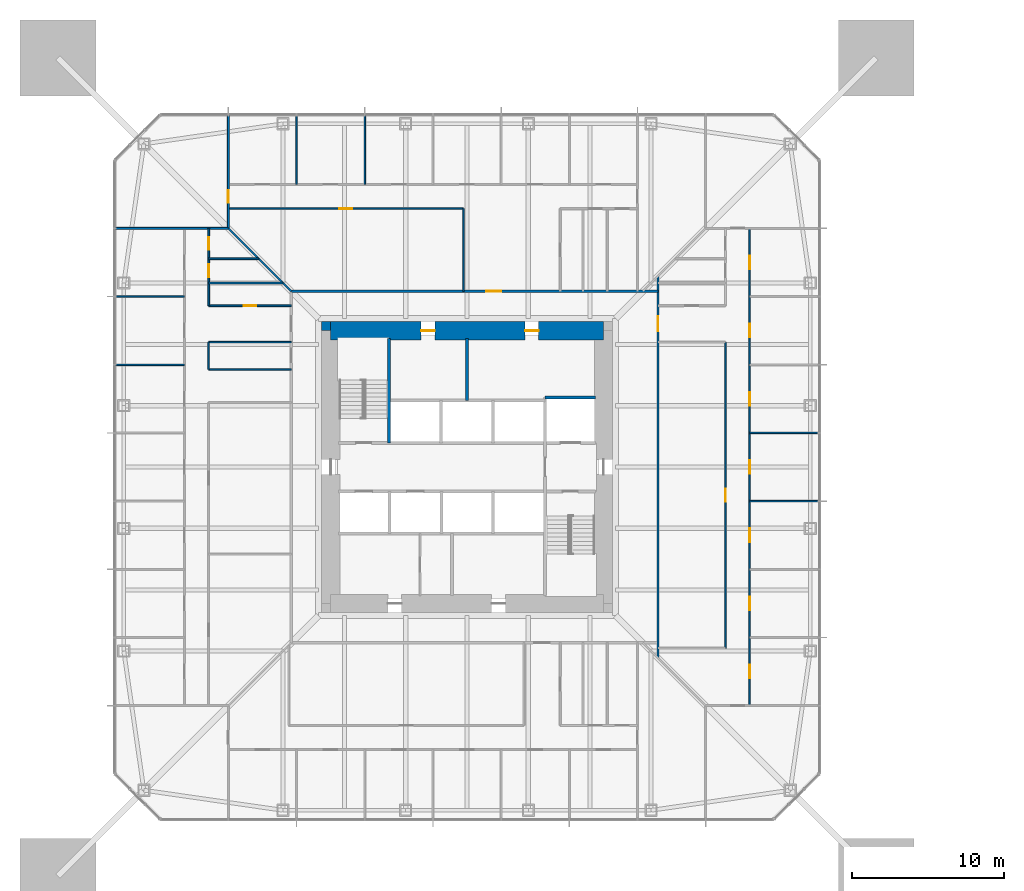
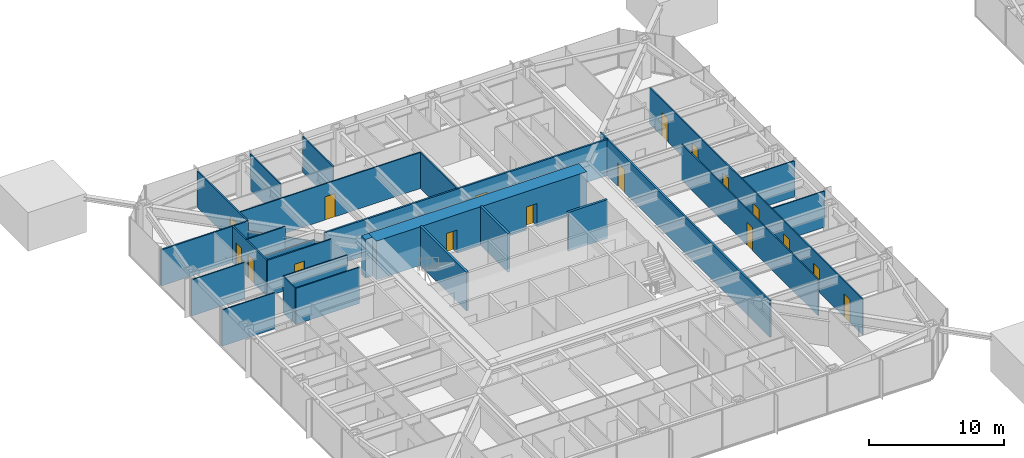
# One storey, part 16 of 26: 27 walls, 17 doors, 17 openings.
"""IFC4 building model written with IfcOpenShell, lengths in metres."""

from ifc_helpers import new_model, si_unit, direction, frame, frame_2d, origin, place, context, subcontext, project, spatial, rectangle, extrude, material, layer, layer_set, type_object, element, fill, save


model = new_model("IFC4")

# Units and contexts
model_context = context("Model", 3, precision=1e-05, world=origin(), true_north=direction((0.0, 1.0)))
body_context = subcontext(model_context, "Body", "Model", "MODEL_VIEW")
ifc_project = project(units=[si_unit("LENGTHUNIT", "METRE"), si_unit("AREAUNIT", "SQUARE_METRE"), si_unit("VOLUMEUNIT", "CUBIC_METRE"), si_unit("PLANEANGLEUNIT", "RADIAN"), si_unit("MASSUNIT", "GRAM", prefix="KILO")], contexts=[model_context])

# Site, building, storey
site_placement = place(None, origin())
site = spatial("IfcSite", under=ifc_project, at=site_placement, CompositionType="ELEMENT")
building_placement = place(site_placement, origin())
building = spatial("IfcBuilding", under=site, at=building_placement, Name="Iwan Alto Co-Living Towers", CompositionType="ELEMENT")
storey_placement = place(building_placement, frame((0.0, 0.0, 29.0)))
storey = spatial("IfcBuildingStorey", under=building, at=storey_placement, Name="L07", CompositionType="ELEMENT", Elevation=29.0)

# Wall, opening, door
ifc_material_1 = material(Name="Gypsum board")
ifc_layer_1 = layer(ifc_material_1, 0.02490234375, Name="Board", Category="Finish")
ifc_material_2 = material(Name="Steel ASTM A1003 ST33H cold-formed studs", Category="steel")
ifc_layer_2 = layer(ifc_material_2, 0.10009765625, Name="Studs", Category="Framing")
ifc_layer_3 = layer(ifc_material_1, 0.02490234375, Name="Board", Category="Finish")
ifc_layer_set_1 = layer_set([ifc_layer_1, ifc_layer_2, ifc_layer_3], Name="CORRIDOR WALL 150")
wall_type_1 = type_object("IfcWallType", Name="CORRIDOR WALL 150", PredefinedType="PARTITIONING", material=ifc_layer_set_1)
wall_1_placement = place(storey_placement, frame((-11.60009765625, 11.60009765625, 0.0), z_axis=(0.0, 0.0, 1.0), x_axis=(1.0, 0.0, 0.0)))
wall_1 = element("IfcWall", 1, at=wall_1_placement, inside=storey, type_object=wall_type_1, Name="Partition L07", PredefinedType="PARTITIONING", context=body_context, shape_type="SweptSolid", body=[
    extrude(rectangle(XDim=24.2001953125, YDim=0.14990234375, at=frame_2d((12.10009765625, 0.0))), origin(), (0.0, 0.0, 1.0), 3.27001953125),
])
opening_1_placement = place(wall_1_placement, frame((12.85498046875, 0.0, 0.0)))
opening_1 = element("IfcOpeningElement", 2, at=opening_1_placement, cuts=wall_1, Name="Opening D3", PredefinedType="OPENING", context=body_context, shape_type="SweptSolid", body=[
    extrude(rectangle(XDim=1.0, YDim=2.10009765625, at=frame_2d((0.5, 1.050048828125))), frame((0.0, 0.0849609375, 0.0), z_axis=(0.0, -1.0, 0.0), x_axis=(1.0, 0.0, 0.0)), (0.0, 0.0, 1.0), 0.169921875),
])
ifc_material_3 = material(Name="Steel frame with timber leaf", Category="steel")
door_type_1 = type_object("IfcDoorType", Name="FLAT ENTRANCE DOOR FD30S 1000X2100", OperationType="SINGLE_SWING_LEFT", PredefinedType="DOOR", material=ifc_material_3)
door_1_placement = place(opening_1_placement, origin())
door_1 = element("IfcDoor", 3, at=door_1_placement, inside=storey, type_object=door_type_1, Name="Cluster lounge and shared kitchen door L07", OperationType="SINGLE_SWING_LEFT", OverallHeight=2.10009765625, OverallWidth=1.0, PredefinedType="DOOR", context=body_context, shape_type="SweptSolid", body=[
    extrude(rectangle(XDim=1.0, YDim=2.10009765625, at=frame_2d((0.5, 1.050048828125))), frame((0.0, 0.02490234375, 0.0), z_axis=(0.0, -1.0, 0.0), x_axis=(1.0, 0.0, 0.0)), (0.0, 0.0, 1.0), 0.050048828125),
])
fill(opening_1, door_1)

wall_2_placement = place(storey_placement, frame((12.60009765625, -12.60009765625, 0.0), z_axis=(0.0, 0.0, 1.0), x_axis=(0.0, 1.0, 0.0)))
wall_2 = element("IfcWall", 4, at=wall_2_placement, inside=storey, type_object=wall_type_1, Name="Partition L07", PredefinedType="PARTITIONING", context=body_context, shape_type="SweptSolid", body=[
    extrude(rectangle(XDim=25.2001953125, YDim=0.14990234375, at=frame_2d((12.60009765625, 0.0))), origin(), (0.0, 0.0, 1.0), 3.27001953125),
])
opening_2_placement = place(wall_2_placement, frame((21.550048828125, 0.0, 0.0)))
opening_2 = element("IfcOpeningElement", 5, at=opening_2_placement, cuts=wall_2, Name="Opening D3", PredefinedType="OPENING", context=body_context, shape_type="SweptSolid", body=[
    extrude(rectangle(XDim=1.0, YDim=2.10009765625, at=frame_2d((0.5, 1.050048828125))), frame((0.0, 0.0849609375, 0.0), z_axis=(0.0, -1.0, 0.0), x_axis=(1.0, 0.0, 0.0)), (0.0, 0.0, 1.0), 0.169921875),
])
door_2_placement = place(opening_2_placement, frame((1.0, 0.0, 0.0), z_axis=(0.0, 0.0, 1.0), x_axis=(-1.0, 0.0, 0.0)))
door_2 = element("IfcDoor", 6, at=door_2_placement, inside=storey, type_object=door_type_1, Name="Cluster lounge door L07", OperationType="SINGLE_SWING_RIGHT", OverallHeight=2.10009765625, OverallWidth=1.0, PredefinedType="DOOR", context=body_context, shape_type="SweptSolid", body=[
    extrude(rectangle(XDim=1.0, YDim=2.10009765625, at=frame_2d((0.5, 1.050048828125))), frame((0.0, 0.02490234375, 0.0), z_axis=(0.0, -1.0, 0.0), x_axis=(1.0, 0.0, 0.0)), (0.0, 0.0, 1.0), 0.050048828125),
])
fill(opening_2, door_2)

# Walls
ifc_layer_4 = layer(ifc_material_1, 0.012451171875, Name="Board", Category="Finish")
ifc_layer_5 = layer(ifc_material_2, 0.074951171875, Name="Studs", Category="Framing")
ifc_layer_6 = layer(ifc_material_1, 0.012451171875, Name="Board", Category="Finish")
ifc_layer_set_2 = layer_set([ifc_layer_4, ifc_layer_5, ifc_layer_6], Name="PARTITION 100")
wall_type_2 = type_object("IfcWallType", Name="PARTITION 100", PredefinedType="PARTITIONING", material=ifc_layer_set_2)
for number, where, z_axis, x_axis, name in (
    (7, (18.64990234375, -2.25, 0.0), (0.0, 0.0, 1.0), (1.0, 0.0, 0.0), "Partition L07"),
    (8, (18.64990234375, 2.25, 0.0), (0.0, 0.0, 1.0), (1.0, 0.0, 0.0), "Partition L07"),
):
    element("IfcWall", number, at=place(storey_placement, frame(where, z_axis=z_axis, x_axis=x_axis)), inside=storey, type_object=wall_type_2, Name=name, PredefinedType="PARTITIONING", context=body_context, shape_type="SweptSolid", body=[
        extrude(rectangle(XDim=4.5400390625, YDim=0.10009765625, at=frame_2d((2.27001953125, 0.0))), origin(), (0.0, 0.0, 1.0), 3.27001953125),
    ])
wall_3_placement = place(storey_placement, frame((-17.050048828125, 6.449951171875, 0.0), z_axis=(0.0, 0.0, 1.0), x_axis=(1.0, 0.0, 0.0)))
element("IfcWall", 9, at=wall_3_placement, inside=storey, type_object=wall_type_2, Name="Partition L07", PredefinedType="PARTITIONING", context=body_context, shape_type="SweptSolid", body=[
    extrude(rectangle(XDim=5.449951171875, YDim=0.10009765625, at=frame_2d((2.72509765625, 0.0))), origin(), (0.0, 0.0, 1.0), 3.27001953125),
])
wall_4_placement = place(storey_placement, frame((-23.18994140625, 6.75, 0.0), z_axis=(0.0, 0.0, 1.0), x_axis=(1.0, 0.0, 0.0)))
element("IfcWall", 10, at=wall_4_placement, inside=storey, type_object=wall_type_2, Name="Partition L07", PredefinedType="PARTITIONING", context=body_context, shape_type="SweptSolid", body=[
    extrude(rectangle(XDim=4.5400390625, YDim=0.10009765625, at=frame_2d((2.27001953125, 0.0))), origin(), (0.0, 0.0, 1.0), 3.27001953125),
])
wall_5_placement = place(storey_placement, frame((-17.050048828125, 8.25, 0.0), z_axis=(0.0, 0.0, 1.0), x_axis=(1.0, 0.0, 0.0)))
element("IfcWall", 11, at=wall_5_placement, inside=storey, type_object=wall_type_2, Name="Partition L07", PredefinedType="PARTITIONING", context=body_context, shape_type="SweptSolid", body=[
    extrude(rectangle(XDim=5.449951171875, YDim=0.10009765625, at=frame_2d((2.72509765625, 0.0))), origin(), (0.0, 0.0, 1.0), 3.27001953125),
])
wall_6_placement = place(storey_placement, frame((-23.18994140625, 11.25, 0.0), z_axis=(0.0, 0.0, 1.0), x_axis=(1.0, 0.0, 0.0)))
element("IfcWall", 12, at=wall_6_placement, inside=storey, type_object=wall_type_2, Name="Partition L07", PredefinedType="PARTITIONING", context=body_context, shape_type="SweptSolid", body=[
    extrude(rectangle(XDim=4.5400390625, YDim=0.10009765625, at=frame_2d((2.27001953125, 0.0))), origin(), (0.0, 0.0, 1.0), 3.27001953125),
])

# Wall, opening, door
wall_7_placement = place(storey_placement, frame((-15.75, 17.050048828125, 0.0), z_axis=(0.0, 0.0, 1.0), x_axis=(1.0, 0.0, 0.0)))
wall_7 = element("IfcWall", 13, at=wall_7_placement, inside=storey, type_object=wall_type_2, Name="Partition L07", PredefinedType="PARTITIONING", context=body_context, shape_type="SweptSolid", body=[
    extrude(rectangle(XDim=15.510009765625, YDim=0.10009765625, at=frame_2d((7.7548828125, 0.0))), origin(), (0.0, 0.0, 1.0), 3.27001953125),
])
opening_3_placement = place(wall_7_placement, frame((7.330078125, 0.0, 0.0)))
opening_3 = element("IfcOpeningElement", 14, at=opening_3_placement, cuts=wall_7, Name="Opening D2", PredefinedType="OPENING", context=body_context, shape_type="SweptSolid", body=[
    extrude(rectangle(XDim=0.85009765625, YDim=2.10009765625, at=frame_2d((0.425048828125, 1.050048828125))), frame((0.0, 0.06005859375, 0.0), z_axis=(0.0, -1.0, 0.0), x_axis=(1.0, 0.0, 0.0)), (0.0, 0.0, 1.0), 0.1201171875),
])
ifc_material_4 = material(Name="Timber leaf in steel frame", Category="steel")
door_type_2 = type_object("IfcDoorType", Name="ROOM DOOR 850X2100", OperationType="SINGLE_SWING_LEFT", PredefinedType="DOOR", material=ifc_material_4)
door_3_placement = place(opening_3_placement, origin())
door_3 = element("IfcDoor", 15, at=door_3_placement, inside=storey, type_object=door_type_2, Name="Study lounge door L07", OperationType="SINGLE_SWING_LEFT", OverallHeight=2.10009765625, OverallWidth=0.85009765625, PredefinedType="DOOR", context=body_context, shape_type="SweptSolid", body=[
    extrude(rectangle(XDim=0.85009765625, YDim=2.10009765625, at=frame_2d((0.425048828125, 1.050048828125))), frame((0.0, 0.02490234375, 0.0), z_axis=(0.0, -1.0, 0.0), x_axis=(1.0, 0.0, 0.0)), (0.0, 0.0, 1.0), 0.050048828125),
])
fill(opening_3, door_3)

# Wall, openings, doors
wall_8_placement = place(storey_placement, frame((18.64990234375, -15.75, 0.0), z_axis=(0.0, 0.0, 1.0), x_axis=(0.0, 1.0, 0.0)))
wall_8 = element("IfcWall", 16, at=wall_8_placement, inside=storey, type_object=wall_type_2, Name="Partition L07", PredefinedType="PARTITIONING", context=body_context, shape_type="SweptSolid", body=[
    extrude(rectangle(XDim=31.5, YDim=0.10009765625, at=frame_2d((15.75, 0.0))), origin(), (0.0, 0.0, 1.0), 3.27001953125),
])
opening_4_placement = place(wall_8_placement, frame((1.800048828125, 0.0, 0.0)))
opening_4 = element("IfcOpeningElement", 17, at=opening_4_placement, cuts=wall_8, Name="Opening D1", PredefinedType="OPENING", context=body_context, shape_type="SweptSolid", body=[
    extrude(rectangle(XDim=0.89990234375, YDim=2.10009765625, at=frame_2d((0.449951171875, 1.050048828125))), frame((0.0, 0.06005859375, 0.0), z_axis=(0.0, -1.0, 0.0), x_axis=(1.0, 0.0, 0.0)), (0.0, 0.0, 1.0), 0.1201171875),
])
opening_5_placement = place(wall_8_placement, frame((6.300048828125, 0.0, 0.0)))
opening_5 = element("IfcOpeningElement", 18, at=opening_5_placement, cuts=wall_8, Name="Opening D1", PredefinedType="OPENING", context=body_context, shape_type="SweptSolid", body=[
    extrude(rectangle(XDim=0.89990234375, YDim=2.10009765625, at=frame_2d((0.449951171875, 1.050048828125))), frame((0.0, 0.06005859375, 0.0), z_axis=(0.0, -1.0, 0.0), x_axis=(1.0, 0.0, 0.0)), (0.0, 0.0, 1.0), 0.1201171875),
])
opening_6_placement = place(wall_8_placement, frame((10.800048828125, 0.0, 0.0)))
opening_6 = element("IfcOpeningElement", 19, at=opening_6_placement, cuts=wall_8, Name="Opening D1", PredefinedType="OPENING", context=body_context, shape_type="SweptSolid", body=[
    extrude(rectangle(XDim=0.89990234375, YDim=2.10009765625, at=frame_2d((0.449951171875, 1.050048828125))), frame((0.0, 0.06005859375, 0.0), z_axis=(0.0, -1.0, 0.0), x_axis=(1.0, 0.0, 0.0)), (0.0, 0.0, 1.0), 0.1201171875),
])
opening_7_placement = place(wall_8_placement, frame((15.300048828125, 0.0, 0.0)))
opening_7 = element("IfcOpeningElement", 20, at=opening_7_placement, cuts=wall_8, Name="Opening D1", PredefinedType="OPENING", context=body_context, shape_type="SweptSolid", body=[
    extrude(rectangle(XDim=0.89990234375, YDim=2.10009765625, at=frame_2d((0.449951171875, 1.050048828125))), frame((0.0, 0.06005859375, 0.0), z_axis=(0.0, -1.0, 0.0), x_axis=(1.0, 0.0, 0.0)), (0.0, 0.0, 1.0), 0.1201171875),
])
opening_8_placement = place(wall_8_placement, frame((19.800048828125, 0.0, 0.0)))
opening_8 = element("IfcOpeningElement", 21, at=opening_8_placement, cuts=wall_8, Name="Opening D1", PredefinedType="OPENING", context=body_context, shape_type="SweptSolid", body=[
    extrude(rectangle(XDim=0.89990234375, YDim=2.10009765625, at=frame_2d((0.449951171875, 1.050048828125))), frame((0.0, 0.06005859375, 0.0), z_axis=(0.0, -1.0, 0.0), x_axis=(1.0, 0.0, 0.0)), (0.0, 0.0, 1.0), 0.1201171875),
])
opening_9_placement = place(wall_8_placement, frame((24.300048828125, 0.0, 0.0)))
opening_9 = element("IfcOpeningElement", 22, at=opening_9_placement, cuts=wall_8, Name="Opening D1", PredefinedType="OPENING", context=body_context, shape_type="SweptSolid", body=[
    extrude(rectangle(XDim=0.89990234375, YDim=2.10009765625, at=frame_2d((0.449951171875, 1.050048828125))), frame((0.0, 0.06005859375, 0.0), z_axis=(0.0, -1.0, 0.0), x_axis=(1.0, 0.0, 0.0)), (0.0, 0.0, 1.0), 0.1201171875),
])
opening_10_placement = place(wall_8_placement, frame((28.800048828125, 0.0, 0.0)))
opening_10 = element("IfcOpeningElement", 23, at=opening_10_placement, cuts=wall_8, Name="Opening D1", PredefinedType="OPENING", context=body_context, shape_type="SweptSolid", body=[
    extrude(rectangle(XDim=0.89990234375, YDim=2.10009765625, at=frame_2d((0.449951171875, 1.050048828125))), frame((0.0, 0.06005859375, 0.0), z_axis=(0.0, -1.0, 0.0), x_axis=(1.0, 0.0, 0.0)), (0.0, 0.0, 1.0), 0.1201171875),
])
ifc_material_5 = material(Name="Timber leaf in steel frame", Category="steel")
door_type_3 = type_object("IfcDoorType", Name="BEDROOM DOOR 900X2100", OperationType="SINGLE_SWING_LEFT", PredefinedType="DOOR", material=ifc_material_5)
door_4_placement = place(opening_4_placement, origin())
door_4 = element("IfcDoor", 24, at=door_4_placement, inside=storey, type_object=door_type_3, Name="Study bedroom door L07", OperationType="SINGLE_SWING_LEFT", OverallHeight=2.10009765625, OverallWidth=0.89990234375, PredefinedType="DOOR", context=body_context, shape_type="SweptSolid", body=[
    extrude(rectangle(XDim=0.89990234375, YDim=2.10009765625, at=frame_2d((0.449951171875, 1.050048828125))), frame((0.0, 0.02490234375, 0.0), z_axis=(0.0, -1.0, 0.0), x_axis=(1.0, 0.0, 0.0)), (0.0, 0.0, 1.0), 0.050048828125),
])
fill(opening_4, door_4)
door_5_placement = place(opening_5_placement, origin())
door_5 = element("IfcDoor", 25, at=door_5_placement, inside=storey, type_object=door_type_3, Name="Study bedroom door L07", OperationType="SINGLE_SWING_LEFT", OverallHeight=2.10009765625, OverallWidth=0.89990234375, PredefinedType="DOOR", context=body_context, shape_type="SweptSolid", body=[
    extrude(rectangle(XDim=0.89990234375, YDim=2.10009765625, at=frame_2d((0.449951171875, 1.050048828125))), frame((0.0, 0.02490234375, 0.0), z_axis=(0.0, -1.0, 0.0), x_axis=(1.0, 0.0, 0.0)), (0.0, 0.0, 1.0), 0.050048828125),
])
fill(opening_5, door_5)
door_6_placement = place(opening_6_placement, origin())
door_6 = element("IfcDoor", 26, at=door_6_placement, inside=storey, type_object=door_type_3, Name="Study bedroom door L07", OperationType="SINGLE_SWING_LEFT", OverallHeight=2.10009765625, OverallWidth=0.89990234375, PredefinedType="DOOR", context=body_context, shape_type="SweptSolid", body=[
    extrude(rectangle(XDim=0.89990234375, YDim=2.10009765625, at=frame_2d((0.449951171875, 1.050048828125))), frame((0.0, 0.02490234375, 0.0), z_axis=(0.0, -1.0, 0.0), x_axis=(1.0, 0.0, 0.0)), (0.0, 0.0, 1.0), 0.050048828125),
])
fill(opening_6, door_6)
door_7_placement = place(opening_7_placement, origin())
door_7 = element("IfcDoor", 27, at=door_7_placement, inside=storey, type_object=door_type_3, Name="Study bedroom door L07", OperationType="SINGLE_SWING_LEFT", OverallHeight=2.10009765625, OverallWidth=0.89990234375, PredefinedType="DOOR", context=body_context, shape_type="SweptSolid", body=[
    extrude(rectangle(XDim=0.89990234375, YDim=2.10009765625, at=frame_2d((0.449951171875, 1.050048828125))), frame((0.0, 0.02490234375, 0.0), z_axis=(0.0, -1.0, 0.0), x_axis=(1.0, 0.0, 0.0)), (0.0, 0.0, 1.0), 0.050048828125),
])
fill(opening_7, door_7)
door_8_placement = place(opening_8_placement, origin())
door_8 = element("IfcDoor", 28, at=door_8_placement, inside=storey, type_object=door_type_3, Name="Study bedroom door L07", OperationType="SINGLE_SWING_RIGHT", OverallHeight=2.10009765625, OverallWidth=0.89990234375, PredefinedType="DOOR", context=body_context, shape_type="SweptSolid", body=[
    extrude(rectangle(XDim=0.89990234375, YDim=2.10009765625, at=frame_2d((0.449951171875, 1.050048828125))), frame((0.0, 0.02490234375, 0.0), z_axis=(0.0, -1.0, 0.0), x_axis=(1.0, 0.0, 0.0)), (0.0, 0.0, 1.0), 0.050048828125),
])
fill(opening_8, door_8)
door_9_placement = place(opening_9_placement, origin())
door_9 = element("IfcDoor", 29, at=door_9_placement, inside=storey, type_object=door_type_3, Name="Study bedroom door L07", OperationType="SINGLE_SWING_RIGHT", OverallHeight=2.10009765625, OverallWidth=0.89990234375, PredefinedType="DOOR", context=body_context, shape_type="SweptSolid", body=[
    extrude(rectangle(XDim=0.89990234375, YDim=2.10009765625, at=frame_2d((0.449951171875, 1.050048828125))), frame((0.0, 0.02490234375, 0.0), z_axis=(0.0, -1.0, 0.0), x_axis=(1.0, 0.0, 0.0)), (0.0, 0.0, 1.0), 0.050048828125),
])
fill(opening_9, door_9)
door_10_placement = place(opening_10_placement, origin())
door_10 = element("IfcDoor", 30, at=door_10_placement, inside=storey, type_object=door_type_3, Name="Study bedroom door L07", OperationType="SINGLE_SWING_RIGHT", OverallHeight=2.10009765625, OverallWidth=0.89990234375, PredefinedType="DOOR", context=body_context, shape_type="SweptSolid", body=[
    extrude(rectangle(XDim=0.89990234375, YDim=2.10009765625, at=frame_2d((0.449951171875, 1.050048828125))), frame((0.0, 0.02490234375, 0.0), z_axis=(0.0, -1.0, 0.0), x_axis=(1.0, 0.0, 0.0)), (0.0, 0.0, 1.0), 0.050048828125),
])
fill(opening_10, door_10)

# Wall, opening, door
wall_9_placement = place(storey_placement, frame((17.050048828125, -11.949951171875, 0.0), z_axis=(0.0, 0.0, 1.0), x_axis=(0.0, 1.0, 0.0)))
wall_9 = element("IfcWall", 31, at=wall_9_placement, inside=storey, type_object=wall_type_2, Name="Partition L07", PredefinedType="PARTITIONING", context=body_context, shape_type="SweptSolid", body=[
    extrude(rectangle(XDim=20.199951171875, YDim=0.10009765625, at=frame_2d((10.10009765625, 0.0))), origin(), (0.0, 0.0, 1.0), 3.27001953125),
])
opening_11_placement = place(wall_9_placement, frame((9.675048828125, 0.0, 0.0)))
opening_11 = element("IfcOpeningElement", 32, at=opening_11_placement, cuts=wall_9, Name="Opening D2", PredefinedType="OPENING", context=body_context, shape_type="SweptSolid", body=[
    extrude(rectangle(XDim=0.85009765625, YDim=2.10009765625, at=frame_2d((0.425048828125, 1.050048828125))), frame((0.0, 0.06005859375, 0.0), z_axis=(0.0, -1.0, 0.0), x_axis=(1.0, 0.0, 0.0)), (0.0, 0.0, 1.0), 0.1201171875),
])
door_11_placement = place(opening_11_placement, origin())
door_11 = element("IfcDoor", 33, at=door_11_placement, inside=storey, type_object=door_type_2, Name="Study lounge door L07", OperationType="SINGLE_SWING_LEFT", OverallHeight=2.10009765625, OverallWidth=0.85009765625, PredefinedType="DOOR", context=body_context, shape_type="SweptSolid", body=[
    extrude(rectangle(XDim=0.85009765625, YDim=2.10009765625, at=frame_2d((0.425048828125, 1.050048828125))), frame((0.0, 0.02490234375, 0.0), z_axis=(0.0, -1.0, 0.0), x_axis=(1.0, 0.0, 0.0)), (0.0, 0.0, 1.0), 0.050048828125),
])
fill(opening_11, door_11)

# Walls
wall_10_placement = place(storey_placement, frame((-0.239990234375, 11.60009765625, 0.0), z_axis=(0.0, 0.0, 1.0), x_axis=(0.0, 1.0, 0.0)))
element("IfcWall", 34, at=wall_10_placement, inside=storey, type_object=wall_type_2, Name="Partition L07", PredefinedType="PARTITIONING", context=body_context, shape_type="SweptSolid", body=[
    extrude(rectangle(XDim=5.449951171875, YDim=0.10009765625, at=frame_2d((2.72509765625, 0.0))), origin(), (0.0, 0.0, 1.0), 3.27001953125),
])
for number, where, z_axis, x_axis, name in (
    (35, (-6.75, 18.64990234375, 0.0), (0.0, 0.0, 1.0), (0.0, 1.0, 0.0), "Partition L07"),
    (36, (-11.25, 18.64990234375, 0.0), (0.0, 0.0, 1.0), (0.0, 1.0, 0.0), "Partition L07"),
):
    element("IfcWall", number, at=place(storey_placement, frame(where, z_axis=z_axis, x_axis=x_axis)), inside=storey, type_object=wall_type_2, Name=name, PredefinedType="PARTITIONING", context=body_context, shape_type="SweptSolid", body=[
        extrude(rectangle(XDim=4.5400390625, YDim=0.10009765625, at=frame_2d((2.27001953125, 0.0))), origin(), (0.0, 0.0, 1.0), 3.27001953125),
    ])
wall_11_placement = place(storey_placement, frame((-17.050048828125, 6.449951171875, 0.0), z_axis=(0.0, 0.0, 1.0), x_axis=(0.0, 1.0, 0.0)))
element("IfcWall", 37, at=wall_11_placement, inside=storey, type_object=wall_type_2, Name="Partition L07", PredefinedType="PARTITIONING", context=body_context, shape_type="SweptSolid", body=[
    extrude(rectangle(XDim=1.800048828125, YDim=0.10009765625, at=frame_2d((0.89990234375, 0.0))), origin(), (0.0, 0.0, 1.0), 3.27001953125),
])
ifc_material_6 = material(Name="Concrete f'c 70 MPa", Category="concrete")
ifc_layer_7 = layer(ifc_material_6, 0.199951171875)
ifc_layer_set_3 = layer_set([ifc_layer_7], Name="SHAFT WALL 200")
wall_type_3 = type_object("IfcWallType", Name="SHAFT WALL 200", PredefinedType="SOLIDWALL", material=ifc_layer_set_3)
wall_12_placement = place(storey_placement, frame((5.14990234375, 4.60009765625, 0.0), z_axis=(0.0, 0.0, 1.0), x_axis=(1.0, 0.0, 0.0)))
element("IfcWall", 38, at=wall_12_placement, inside=storey, type_object=wall_type_3, Name="Shaft wall L07", PredefinedType="SOLIDWALL", context=body_context, shape_type="SweptSolid", body=[
    extrude(rectangle(XDim=3.340087890625, YDim=0.199951171875, at=frame_2d((1.669921875, 0.0))), origin(), (0.0, 0.0, 1.0), 3.5),
])
wall_13_placement = place(storey_placement, frame((0.0, 4.39990234375, 0.0), z_axis=(0.0, 0.0, 1.0), x_axis=(0.0, 1.0, 0.0)))
element("IfcWall", 39, at=wall_13_placement, inside=storey, type_object=wall_type_3, Name="Shaft wall L07", PredefinedType="SOLIDWALL", context=body_context, shape_type="SweptSolid", body=[
    extrude(rectangle(XDim=4.090087890625, YDim=0.199951171875, at=frame_2d((2.044921875, 0.0))), origin(), (0.0, 0.0, 1.0), 3.5),
])
wall_14_placement = place(storey_placement, frame((-5.14990234375, 1.60009765625, 0.0), z_axis=(0.0, 0.0, 1.0), x_axis=(0.0, 1.0, 0.0)))
element("IfcWall", 40, at=wall_14_placement, inside=storey, type_object=wall_type_3, Name="Shaft wall L07", PredefinedType="SOLIDWALL", context=body_context, shape_type="SweptSolid", body=[
    extrude(rectangle(XDim=6.889892578125, YDim=0.199951171875, at=frame_2d((3.44482421875, 0.0))), origin(), (0.0, 0.0, 1.0), 3.5),
])
ifc_material_7 = material(Name="Concrete f'c 70 MPa", Category="concrete")
ifc_layer_8 = layer(ifc_material_7, 0.60009765625)
ifc_layer_set_4 = layer_set([ifc_layer_8], Name="T1 CORE CORNER FILL 600")
wall_type_4 = type_object("IfcWallType", Name="T1 CORE CORNER FILL 600", PredefinedType="SOLIDWALL", material=ifc_layer_set_4)
wall_15_placement = place(storey_placement, frame((-9.60009765625, 9.300048828125, 0.0), z_axis=(0.0, 0.0, 1.0), x_axis=(1.0, 0.0, 0.0)))
element("IfcWall", 41, at=wall_15_placement, inside=storey, type_object=wall_type_4, Name="T1 core corner NW L07", PredefinedType="SOLIDWALL", context=body_context, shape_type="SweptSolid", body=[
    extrude(rectangle(XDim=0.60009765625, YDim=0.60009765625, at=frame_2d((0.300048828125, 0.0))), origin(), (0.0, 0.0, 1.0), 3.5),
])

# Wall, openings, doors
ifc_material_8 = material(Name="Concrete f'c 70 MPa", Category="concrete")
ifc_layer_9 = layer(ifc_material_8, 1.199951171875)
ifc_layer_set_5 = layer_set([ifc_layer_9], Name="T1 CORE WALL 1200")
wall_type_5 = type_object("IfcWallType", Name="T1 CORE WALL 1200", PredefinedType="SHEAR", material=ifc_layer_set_5)
wall_16_placement = place(storey_placement, frame((9.0, 9.0, 0.0), z_axis=(0.0, 0.0, 1.0), x_axis=(-1.0, 0.0, 0.0)))
wall_16 = element("IfcWall", 42, at=wall_16_placement, inside=storey, type_object=wall_type_5, Name="T1 core wall N L07", PredefinedType="SHEAR", context=body_context, shape_type="SweptSolid", body=[
    extrude(rectangle(XDim=18.0, YDim=1.199951171875, at=frame_2d((9.0, 0.0))), origin(), (0.0, 0.0, 1.0), 3.5),
])
opening_12_placement = place(wall_16_placement, frame((11.125, 0.0, 0.0)))
opening_12 = element("IfcOpeningElement", 43, at=opening_12_placement, cuts=wall_16, Name="Opening D8", PredefinedType="OPENING", context=body_context, shape_type="SweptSolid", body=[
    extrude(rectangle(XDim=0.89990234375, YDim=2.10009765625, at=frame_2d((0.449951171875, 1.050048828125))), frame((0.0, 0.60986328125, 0.0), z_axis=(0.0, -1.0, 0.0), x_axis=(1.0, 0.0, 0.0)), (0.0, 0.0, 1.0), 1.219970703125),
])
opening_13_placement = place(wall_16_placement, frame((4.27490234375, 0.0, 0.0)))
opening_13 = element("IfcOpeningElement", 44, at=opening_13_placement, cuts=wall_16, Name="Opening D8", PredefinedType="OPENING", context=body_context, shape_type="SweptSolid", body=[
    extrude(rectangle(XDim=0.89990234375, YDim=2.10009765625, at=frame_2d((0.449951171875, 1.050048828125))), frame((0.0, 0.60986328125, 0.0), z_axis=(0.0, -1.0, 0.0), x_axis=(1.0, 0.0, 0.0)), (0.0, 0.0, 1.0), 1.219970703125),
])
ifc_material_9 = material(Name="Steel frame with timber leaf", Category="steel")
door_type_4 = type_object("IfcDoorType", Name="RISER DOOR FD120 900X2100", OperationType="SINGLE_SWING_LEFT", PredefinedType="DOOR", material=ifc_material_9)
door_12_placement = place(opening_12_placement, origin())
door_12 = element("IfcDoor", 45, at=door_12_placement, inside=storey, type_object=door_type_4, Name="Electrical riser core door L07", OperationType="SINGLE_SWING_RIGHT", OverallHeight=2.10009765625, OverallWidth=0.89990234375, PredefinedType="DOOR", context=body_context, shape_type="SweptSolid", body=[
    extrude(rectangle(XDim=0.89990234375, YDim=2.10009765625, at=frame_2d((0.449951171875, 1.050048828125))), frame((0.0, 0.02490234375, 0.0), z_axis=(0.0, -1.0, 0.0), x_axis=(1.0, 0.0, 0.0)), (0.0, 0.0, 1.0), 0.050048828125),
])
fill(opening_12, door_12)
door_13_placement = place(opening_13_placement, origin())
door_13 = element("IfcDoor", 46, at=door_13_placement, inside=storey, type_object=door_type_4, Name="Water and drainage riser core door L07", OperationType="SINGLE_SWING_RIGHT", OverallHeight=2.10009765625, OverallWidth=0.89990234375, PredefinedType="DOOR", context=body_context, shape_type="SweptSolid", body=[
    extrude(rectangle(XDim=0.89990234375, YDim=2.10009765625, at=frame_2d((0.449951171875, 1.050048828125))), frame((0.0, 0.02490234375, 0.0), z_axis=(0.0, -1.0, 0.0), x_axis=(1.0, 0.0, 0.0)), (0.0, 0.0, 1.0), 0.050048828125),
])
fill(opening_13, door_13)

# Wall, opening, door
ifc_material_10 = material(Name="Cement board")
ifc_layer_10 = layer(ifc_material_10, 0.012451171875, Name="Board", Category="Finish")
ifc_layer_11 = layer(ifc_material_2, 0.094970703125, Name="Studs", Category="Framing")
ifc_layer_12 = layer(ifc_material_10, 0.012451171875, Name="Board", Category="Finish")
ifc_layer_set_6 = layer_set([ifc_layer_10, ifc_layer_11, ifc_layer_12], Name="WET AREA PARTITION 120")
wall_type_6 = type_object("IfcWallType", Name="WET AREA PARTITION 120", PredefinedType="PARTITIONING", material=ifc_layer_set_6)
wall_17_placement = place(storey_placement, frame((-17.050048828125, 10.64990234375, 0.0), z_axis=(0.0, 0.0, 1.0), x_axis=(1.0, 0.0, 0.0)))
wall_17 = element("IfcWall", 47, at=wall_17_placement, inside=storey, type_object=wall_type_6, Name="Partition L07", PredefinedType="PARTITIONING", context=body_context, shape_type="SweptSolid", body=[
    extrude(rectangle(XDim=5.449951171875, YDim=0.1201171875, at=frame_2d((2.72509765625, 0.0))), origin(), (0.0, 0.0, 1.0), 3.27001953125),
])
opening_14_placement = place(wall_17_placement, frame((2.300048828125, 0.0, 0.0)))
opening_14 = element("IfcOpeningElement", 48, at=opening_14_placement, cuts=wall_17, Name="Opening D2", PredefinedType="OPENING", context=body_context, shape_type="SweptSolid", body=[
    extrude(rectangle(XDim=0.85009765625, YDim=2.10009765625, at=frame_2d((0.425048828125, 1.050048828125))), frame((0.0, 0.070068359375, 0.0), z_axis=(0.0, -1.0, 0.0), x_axis=(1.0, 0.0, 0.0)), (0.0, 0.0, 1.0), 0.14013671875),
])
door_14_placement = place(opening_14_placement, frame((0.85009765625, 0.0, 0.0), z_axis=(0.0, 0.0, 1.0), x_axis=(-1.0, 0.0, 0.0)))
door_14 = element("IfcDoor", 49, at=door_14_placement, inside=storey, type_object=door_type_2, Name="Bathroom door L07", OperationType="SINGLE_SWING_LEFT", OverallHeight=2.10009765625, OverallWidth=0.85009765625, PredefinedType="DOOR", context=body_context, shape_type="SweptSolid", body=[
    extrude(rectangle(XDim=0.85009765625, YDim=2.10009765625, at=frame_2d((0.425048828125, 1.050048828125))), frame((0.0, 0.02490234375, 0.0), z_axis=(0.0, -1.0, 0.0), x_axis=(1.0, 0.0, 0.0)), (0.0, 0.0, 1.0), 0.050048828125),
])
fill(opening_14, door_14)

# Walls
wall_18_placement = place(storey_placement, frame((-17.050048828125, 12.14990234375, 0.0), z_axis=(0.0, 0.0, 1.0), x_axis=(1.0, 0.0, 0.0)))
element("IfcWall", 50, at=wall_18_placement, inside=storey, type_object=wall_type_6, Name="Partition L07", PredefinedType="PARTITIONING", context=body_context, shape_type="SweptSolid", body=[
    extrude(rectangle(XDim=4.900146484375, YDim=0.1201171875, at=frame_2d((2.4501953125, 0.0))), origin(), (0.0, 0.0, 1.0), 2.508056640625),
])
wall_19_placement = place(storey_placement, frame((-17.050048828125, 13.75, 0.0), z_axis=(0.0, 0.0, 1.0), x_axis=(1.0, 0.0, 0.0)))
element("IfcWall", 51, at=wall_19_placement, inside=storey, type_object=wall_type_6, Name="Partition L07", PredefinedType="PARTITIONING", context=body_context, shape_type="SweptSolid", body=[
    extrude(rectangle(XDim=3.300048828125, YDim=0.1201171875, at=frame_2d((1.64990234375, 0.0))), origin(), (0.0, 0.0, 1.0), 3.27001953125),
])
wall_20_placement = place(storey_placement, frame((-23.18994140625, 15.75, 0.0), z_axis=(0.0, 0.0, 1.0), x_axis=(1.0, 0.0, 0.0)))
element("IfcWall", 52, at=wall_20_placement, inside=storey, type_object=wall_type_6, Name="Partition L07", PredefinedType="PARTITIONING", context=body_context, shape_type="SweptSolid", body=[
    extrude(rectangle(XDim=7.43994140625, YDim=0.1201171875, at=frame_2d((3.719970703125, 0.0))), origin(), (0.0, 0.0, 1.0), 3.27001953125),
])

# Wall, opening, door
wall_21_placement = place(storey_placement, frame((-15.75, 15.75, 0.0), z_axis=(0.0, 0.0, 1.0), x_axis=(0.0, 1.0, 0.0)))
wall_21 = element("IfcWall", 53, at=wall_21_placement, inside=storey, type_object=wall_type_6, Name="Partition L07", PredefinedType="PARTITIONING", context=body_context, shape_type="SweptSolid", body=[
    extrude(rectangle(XDim=7.43994140625, YDim=0.1201171875, at=frame_2d((3.719970703125, 0.0))), origin(), (0.0, 0.0, 1.0), 3.27001953125),
])
opening_15_placement = place(wall_21_placement, frame((1.675048828125, 0.0, 0.0)))
opening_15 = element("IfcOpeningElement", 54, at=opening_15_placement, cuts=wall_21, Name="Opening D2", PredefinedType="OPENING", context=body_context, shape_type="SweptSolid", body=[
    extrude(rectangle(XDim=0.85009765625, YDim=2.10009765625, at=frame_2d((0.425048828125, 1.050048828125))), frame((0.0, 0.070068359375, 0.0), z_axis=(0.0, -1.0, 0.0), x_axis=(1.0, 0.0, 0.0)), (0.0, 0.0, 1.0), 0.14013671875),
])
door_15_placement = place(opening_15_placement, frame((0.85009765625, 0.0, 0.0), z_axis=(0.0, 0.0, 1.0), x_axis=(-1.0, 0.0, 0.0)))
door_15 = element("IfcDoor", 55, at=door_15_placement, inside=storey, type_object=door_type_2, Name="Central laundry and drying room door L07", OperationType="SINGLE_SWING_RIGHT", OverallHeight=2.10009765625, OverallWidth=0.85009765625, PredefinedType="DOOR", context=body_context, shape_type="SweptSolid", body=[
    extrude(rectangle(XDim=0.85009765625, YDim=2.10009765625, at=frame_2d((0.425048828125, 1.050048828125))), frame((0.0, 0.02490234375, 0.0), z_axis=(0.0, -1.0, 0.0), x_axis=(1.0, 0.0, 0.0)), (0.0, 0.0, 1.0), 0.050048828125),
])
fill(opening_15, door_15)

# Wall, openings, doors
wall_22_placement = place(storey_placement, frame((-17.050048828125, 10.64990234375, 0.0), z_axis=(0.0, 0.0, 1.0), x_axis=(0.0, 1.0, 0.0)))
wall_22 = element("IfcWall", 56, at=wall_22_placement, inside=storey, type_object=wall_type_6, Name="Partition L07", PredefinedType="PARTITIONING", context=body_context, shape_type="SweptSolid", body=[
    extrude(rectangle(XDim=5.10009765625, YDim=0.1201171875, at=frame_2d((2.550048828125, 0.0))), origin(), (0.0, 0.0, 1.0), 3.27001953125),
])
opening_16_placement = place(wall_22_placement, frame((3.675048828125, 0.0, 0.0)))
opening_16 = element("IfcOpeningElement", 57, at=opening_16_placement, cuts=wall_22, Name="Opening D2", PredefinedType="OPENING", context=body_context, shape_type="SweptSolid", body=[
    extrude(rectangle(XDim=0.85009765625, YDim=2.10009765625, at=frame_2d((0.425048828125, 1.050048828125))), frame((0.0, 0.070068359375, 0.0), z_axis=(0.0, -1.0, 0.0), x_axis=(1.0, 0.0, 0.0)), (0.0, 0.0, 1.0), 0.14013671875),
])
opening_17_placement = place(wall_22_placement, frame((1.875, 0.0, 0.0)))
opening_17 = element("IfcOpeningElement", 58, at=opening_17_placement, cuts=wall_22, Name="Opening D2", PredefinedType="OPENING", context=body_context, shape_type="SweptSolid", body=[
    extrude(rectangle(XDim=0.85009765625, YDim=2.10009765625, at=frame_2d((0.425048828125, 1.050048828125))), frame((0.0, 0.070068359375, 0.0), z_axis=(0.0, -1.0, 0.0), x_axis=(1.0, 0.0, 0.0)), (0.0, 0.0, 1.0), 0.14013671875),
])
door_16_placement = place(opening_16_placement, origin())
door_16 = element("IfcDoor", 59, at=door_16_placement, inside=storey, type_object=door_type_2, Name="Laundry door L07", OperationType="SINGLE_SWING_RIGHT", OverallHeight=2.10009765625, OverallWidth=0.85009765625, PredefinedType="DOOR", context=body_context, shape_type="SweptSolid", body=[
    extrude(rectangle(XDim=0.85009765625, YDim=2.10009765625, at=frame_2d((0.425048828125, 1.050048828125))), frame((0.0, 0.02490234375, 0.0), z_axis=(0.0, -1.0, 0.0), x_axis=(1.0, 0.0, 0.0)), (0.0, 0.0, 1.0), 0.050048828125),
])
fill(opening_16, door_16)
door_17_placement = place(opening_17_placement, origin())
door_17 = element("IfcDoor", 60, at=door_17_placement, inside=storey, type_object=door_type_2, Name="Accessible bathroom door L07", OperationType="SINGLE_SWING_RIGHT", OverallHeight=2.10009765625, OverallWidth=0.85009765625, PredefinedType="DOOR", context=body_context, shape_type="SweptSolid", body=[
    extrude(rectangle(XDim=0.85009765625, YDim=2.10009765625, at=frame_2d((0.425048828125, 1.050048828125))), frame((0.0, 0.02490234375, 0.0), z_axis=(0.0, -1.0, 0.0), x_axis=(1.0, 0.0, 0.0)), (0.0, 0.0, 1.0), 0.050048828125),
])
fill(opening_17, door_17)

# Wall
wall_23_placement = place(storey_placement, frame((-11.60009765625, 11.60009765625, 0.0), z_axis=(0.0, 0.0, 1.0), x_axis=(-0.707106781187, 0.707106781187, 0.0)))
element("IfcWall", 61, at=wall_23_placement, inside=storey, type_object=wall_type_6, Name="Partition L07", PredefinedType="PARTITIONING", context=body_context, shape_type="SweptSolid", body=[
    extrude(rectangle(XDim=5.868896484375, YDim=0.1201171875, at=frame_2d((2.9345703125, 0.0))), origin(), (0.0, 0.0, 1.0), 2.343017578125),
])

save(model, "model.ifc")
